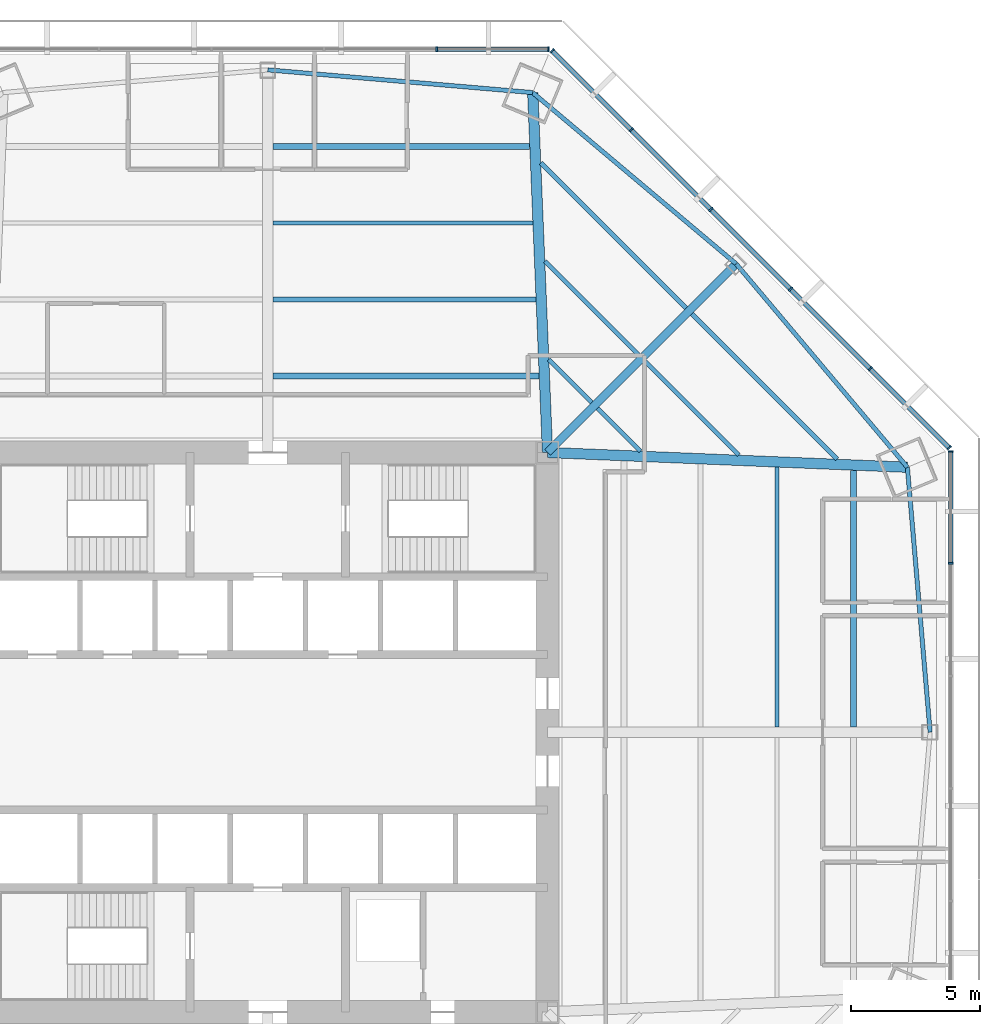
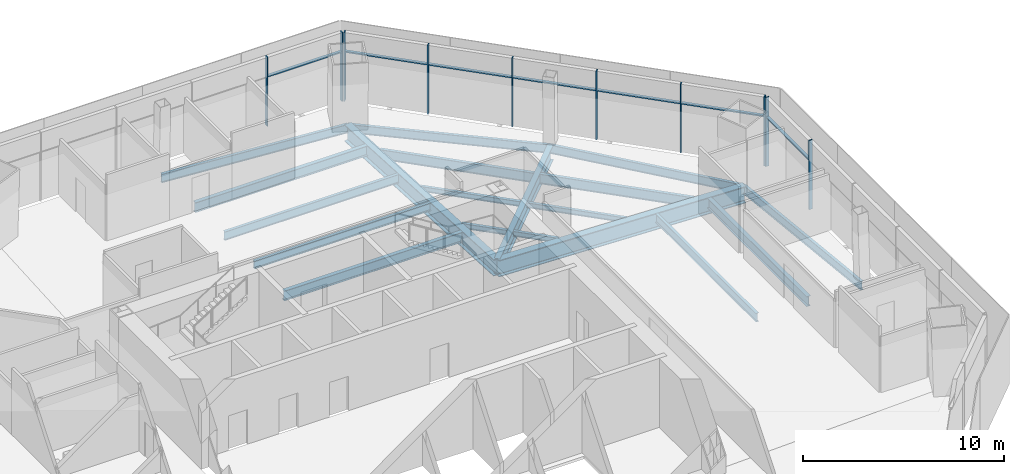
# One storey, part 7 of 15: 19 beams, 17 members, 3 elements without a shape of their own.
"""IFC4 building model written with IfcOpenShell, lengths in metres."""

from ifc_helpers import new_model, si_unit, direction, frame, origin, origin_2d, place, context, subcontext, project, spatial, rectangle, i_section, extrude, source, transform, mapped, material, material_profile, profile_set, type_object, type_shapes, element, aggregate, save


model = new_model("IFC4")

# Units and contexts
model_context = context("Model", 3, precision=1e-05, world=origin(), true_north=direction((0.0, 1.0)))
body_context = subcontext(model_context, "Body", "Model", "MODEL_VIEW")
ifc_project = project(units=[si_unit("LENGTHUNIT", "METRE"), si_unit("AREAUNIT", "SQUARE_METRE"), si_unit("VOLUMEUNIT", "CUBIC_METRE"), si_unit("PLANEANGLEUNIT", "RADIAN"), si_unit("MASSUNIT", "GRAM", prefix="KILO")], contexts=[model_context])

# Site, building, storey
site_placement = place(None, origin())
site = spatial("IfcSite", under=ifc_project, at=site_placement, CompositionType="ELEMENT")
building_placement = place(site_placement, origin())
building = spatial("IfcBuilding", under=site, at=building_placement, Name="Mashrafa Tower", CompositionType="ELEMENT")
storey_placement = place(building_placement, frame((0.0, 0.0, 58.199951171875)))
storey = spatial("IfcBuildingStorey", under=building, at=storey_placement, Name="L12", CompositionType="ELEMENT", Elevation=58.199951171875)

# Beams
ifc_material_1 = material(Name="Steel ASTM A992", Category="steel")
ifc_material_profile_1 = material_profile(ifc_material_1, i_section(OverallWidth=0.164794921875, OverallDepth=0.309814453125, WebThickness=0.005859375, FlangeThickness=0.009765625, FilletRadius=0.007568359375, at=origin_2d()), Name="W12X26")
ifc_profile_set_1 = profile_set([ifc_material_profile_1], Name="Steel ASTM A992")
beam_type_1 = type_object("IfcBeamType", Name="Beam W12X26", PredefinedType="BEAM", material=ifc_profile_set_1)
beam_1_placement = place(storey_placement, frame((10.697265625, 18.185546875, -0.31982421875), z_axis=(0.707106781187, -0.707106781187, 0.0), x_axis=(0.707106781187, 0.707106781187, 0.0)))
element("IfcBeam", 1, at=beam_1_placement, inside=storey, type_object=beam_type_1, Name="Floor beam L12 036", PredefinedType="BEAM", context=body_context, shape_type="SweptSolid", body=[
    extrude(i_section(OverallWidth=0.164794921875, OverallDepth=0.309814453125, WebThickness=0.005859375, FlangeThickness=0.009765625, FilletRadius=0.007568359375, at=origin_2d()), origin(), (0.0, 0.0, 1.0), 5.141357421875),
])
for number, where, z_axis, x_axis, name in (
    (2, (10.853271484375, 14.38818359375, -0.31982421875), (0.707106781187, -0.707106781187, 0.0), (0.707106781187, 0.707106781187, 0.0), "Floor beam L12 038"),
    (3, (12.7294921875, 12.511962890625, -0.31982421875), (0.707106781187, -0.707106781187, 0.0), (0.707106781187, 0.707106781187, 0.0), "Floor beam L12 041"),
):
    element("IfcBeam", number, at=place(storey_placement, frame(where, z_axis=z_axis, x_axis=x_axis)), inside=storey, type_object=beam_type_1, Name=name, PredefinedType="BEAM", context=body_context, shape_type="SweptSolid", body=[
        extrude(i_section(OverallWidth=0.164794921875, OverallDepth=0.309814453125, WebThickness=0.005859375, FlangeThickness=0.009765625, FilletRadius=0.007568359375, at=origin_2d()), origin(), (0.0, 0.0, 1.0), 2.345703125),
    ])
beam_2_placement = place(storey_placement, frame((14.550048828125, 14.332763671875, -0.31982421875), z_axis=(0.707106781187, -0.707106781187, 0.0), x_axis=(0.707106781187, 0.707106781187, 0.0)))
element("IfcBeam", 4, at=beam_2_placement, inside=storey, type_object=beam_type_1, Name="Floor beam L12 045", PredefinedType="BEAM", context=body_context, shape_type="SweptSolid", body=[
    extrude(i_section(OverallWidth=0.164794921875, OverallDepth=0.309814453125, WebThickness=0.005859375, FlangeThickness=0.009765625, FilletRadius=0.007568359375, at=origin_2d()), origin(), (0.0, 0.0, 1.0), 5.141357421875),
])
ifc_material_2 = material(Name="Steel ASTM A992", Category="steel")
ifc_material_profile_2 = material_profile(ifc_material_2, i_section(OverallWidth=0.191162109375, OverallDepth=0.459716796875, WebThickness=0.010009765625, FlangeThickness=0.01611328125, FilletRadius=0.01025390625, at=origin_2d()), Name="W18X55")
ifc_profile_set_2 = profile_set([ifc_material_profile_2], Name="Steel ASTM A992")
beam_type_2 = type_object("IfcBeamType", Name="Beam W18X55", PredefinedType="BEAM", material=ifc_profile_set_2)
beam_3_placement = place(storey_placement, frame((0.20458984375, 16.709228515625, -0.394775390625), z_axis=(1.0, 0.0, 0.0), x_axis=(0.0, 1.0, 0.0)))
element("IfcBeam", 5, at=beam_3_placement, inside=storey, type_object=beam_type_2, Name="Floor beam L12 030", PredefinedType="BEAM", context=body_context, shape_type="SweptSolid", body=[
    extrude(i_section(OverallWidth=0.191162109375, OverallDepth=0.459716796875, WebThickness=0.010009765625, FlangeThickness=0.01611328125, FilletRadius=0.01025390625, at=origin_2d()), origin(), (0.0, 0.0, 1.0), 10.151611328125),
])
ifc_material_3 = material(Name="Steel ASTM A992", Category="steel")
ifc_material_profile_3 = material_profile(ifc_material_3, i_section(OverallWidth=0.165771484375, OverallDepth=0.5283203125, WebThickness=0.009765625, FlangeThickness=0.013671875, FilletRadius=0.012939453125, at=origin_2d()), Name="W21X50")
ifc_profile_set_3 = profile_set([ifc_material_profile_3], Name="Steel ASTM A992")
beam_type_3 = type_object("IfcBeamType", Name="Beam W21X50", PredefinedType="BEAM", material=ifc_profile_set_3)
for number, where, z_axis, x_axis, name in (
    (6, (0.20458984375, 19.663818359375, -0.42919921875), (1.0, 0.0, 0.0), (0.0, 1.0, 0.0), "Floor beam L12 031"),
    (7, (19.663818359375, 10.23486328125, -0.42919921875), (0.0, -1.0, 0.0), (1.0, 0.0, 0.0), "Floor beam L12 053"),
):
    element("IfcBeam", number, at=place(storey_placement, frame(where, z_axis=z_axis, x_axis=x_axis)), inside=storey, type_object=beam_type_3, Name=name, PredefinedType="BEAM", context=body_context, shape_type="SweptSolid", body=[
        extrude(i_section(OverallWidth=0.165771484375, OverallDepth=0.5283203125, WebThickness=0.009765625, FlangeThickness=0.013671875, FilletRadius=0.012939453125, at=origin_2d()), origin(), (0.0, 0.0, 1.0), 10.0302734375),
    ])
for number, where, z_axis, x_axis, name in (
    (8, (10.22900390625, 24.69482421875, -0.42919921875), (-0.996335019601, 0.08553670976, 0.0), (-0.08553670976, -0.996335019601, 0.0), "Spandrel beam L12 083"),
    (9, (18.082763671875, 18.082763671875, -0.42919921875), (-0.764989509538, 0.644042739495, 0.0), (-0.644042739495, -0.764989509538, 0.0), "Spandrel beam L12 085"),
    (10, (24.69482421875, 10.22900390625, -0.42919921875), (-0.644042739495, 0.764989509538, 0.0), (-0.764989509538, -0.644042739495, 0.0), "Spandrel beam L12 087"),
    (11, (25.572998046875, 0.0, -0.42919921875), (-0.08553670976, 0.996335019601, 0.0), (-0.996335019601, -0.08553670976, 0.0), "Spandrel beam L12 088"),
):
    element("IfcBeam", number, at=place(storey_placement, frame(where, z_axis=z_axis, x_axis=x_axis)), inside=storey, type_object=beam_type_3, Name=name, PredefinedType="BEAM", context=body_context, shape_type="SweptSolid", body=[
        extrude(i_section(OverallWidth=0.165771484375, OverallDepth=0.5283203125, WebThickness=0.009765625, FlangeThickness=0.013671875, FilletRadius=0.012939453125, at=origin_2d()), origin(), (0.0, 0.0, 1.0), 10.2666015625),
    ])
ifc_material_4 = material(Name="Steel ASTM A992", Category="steel")
ifc_material_profile_4 = material_profile(ifc_material_4, i_section(OverallWidth=0.177978515625, OverallDepth=0.599365234375, WebThickness=0.010009765625, FlangeThickness=0.012939453125, FilletRadius=0.012939453125, at=origin_2d()), Name="W24X55")
ifc_profile_set_4 = profile_set([ifc_material_profile_4], Name="Steel ASTM A992")
beam_type_4 = type_object("IfcBeamType", Name="Beam W24X55", PredefinedType="BEAM", material=ifc_profile_set_4)
for number, where, z_axis, x_axis, name in (
    (12, (10.541259765625, 21.98291015625, -0.464599609375), (0.707106781187, -0.707106781187, 0.0), (0.707106781187, 0.707106781187, 0.0), "Floor beam L12 034"),
    (13, (16.370849609375, 16.1533203125, -0.464599609375), (0.707106781187, -0.707106781187, 0.0), (0.707106781187, 0.707106781187, 0.0), "Floor beam L12 048"),
):
    element("IfcBeam", number, at=place(storey_placement, frame(where, z_axis=z_axis, x_axis=x_axis)), inside=storey, type_object=beam_type_4, Name=name, PredefinedType="BEAM", context=body_context, shape_type="SweptSolid", body=[
        extrude(i_section(OverallWidth=0.177978515625, OverallDepth=0.599365234375, WebThickness=0.010009765625, FlangeThickness=0.012939453125, FilletRadius=0.012939453125, at=origin_2d()), origin(), (0.0, 0.0, 1.0), 7.936767578125),
    ])
ifc_material_5 = material(Name="Steel ASTM A992", Category="steel")
ifc_material_profile_5 = material_profile(ifc_material_5, i_section(OverallWidth=0.227783203125, OverallDepth=0.60205078125, WebThickness=0.010498046875, FlangeThickness=0.014892578125, FilletRadius=0.012939453125, at=origin_2d()), Name="W24X68")
ifc_profile_set_5 = profile_set([ifc_material_profile_5], Name="Steel ASTM A992")
beam_type_5 = type_object("IfcBeamType", Name="Beam W24X68", PredefinedType="BEAM", material=ifc_profile_set_5)
beam_4_placement = place(storey_placement, frame((0.20458984375, 13.754638671875, -0.4658203125), z_axis=(1.0, 0.0, 0.0), x_axis=(0.0, 1.0, 0.0)))
element("IfcBeam", 14, at=beam_4_placement, inside=storey, type_object=beam_type_5, Name="Floor beam L12 029", PredefinedType="BEAM", context=body_context, shape_type="SweptSolid", body=[
    extrude(i_section(OverallWidth=0.227783203125, OverallDepth=0.60205078125, WebThickness=0.010498046875, FlangeThickness=0.014892578125, FilletRadius=0.012939453125, at=origin_2d()), origin(), (0.0, 0.0, 1.0), 10.273193359375),
])
ifc_material_6 = material(Name="Steel ASTM A992", Category="steel")
ifc_material_profile_6 = material_profile(ifc_material_6, i_section(OverallWidth=0.228271484375, OverallDepth=0.607177734375, WebThickness=0.01123046875, FlangeThickness=0.017333984375, FilletRadius=0.0126953125, at=origin_2d()), Name="W24X76")
ifc_profile_set_6 = profile_set([ifc_material_profile_6], Name="Steel ASTM A992")
beam_type_6 = type_object("IfcBeamType", Name="Beam W24X76", PredefinedType="BEAM", material=ifc_profile_set_6)
for number, where, z_axis, x_axis, name in (
    (15, (0.20458984375, 22.618408203125, -0.468505859375), (1.0, 0.0, 0.0), (0.0, 1.0, 0.0), "Floor beam L12 032"),
    (16, (22.618408203125, 10.11328125, -0.468505859375), (0.0, -1.0, 0.0), (1.0, 0.0, 0.0), "Floor beam L12 056"),
):
    element("IfcBeam", number, at=place(storey_placement, frame(where, z_axis=z_axis, x_axis=x_axis)), inside=storey, type_object=beam_type_6, Name=name, PredefinedType="BEAM", context=body_context, shape_type="SweptSolid", body=[
        extrude(i_section(OverallWidth=0.228271484375, OverallDepth=0.607177734375, WebThickness=0.01123046875, FlangeThickness=0.017333984375, FilletRadius=0.0126953125, at=origin_2d()), origin(), (0.0, 0.0, 1.0), 9.90869140625),
    ])
ifc_material_7 = material(Name="Steel ASTM A992", Category="steel")
ifc_material_profile_7 = material_profile(ifc_material_7, i_section(OverallWidth=0.307373046875, OverallDepth=0.927001953125, WebThickness=0.01953125, FlangeThickness=0.031982421875, FilletRadius=0.01904296875, at=origin_2d()), Name="W36X194")
ifc_profile_set_7 = profile_set([ifc_material_profile_7], Name="Steel ASTM A992")
beam_type_7 = type_object("IfcBeamType", Name="Beam W36X194", PredefinedType="BEAM", material=ifc_profile_set_7)
beam_5_placement = place(storey_placement, frame((10.800048828125, 10.800048828125, -0.62841796875), z_axis=(0.707106781187, 0.707106781187, 0.0), x_axis=(-0.707106781187, 0.707106781187, 0.0)))
element("IfcBeam", 17, at=beam_5_placement, inside=storey, type_object=beam_type_7, Name="Radial girder L12 071", PredefinedType="BEAM", context=body_context, shape_type="SweptSolid", body=[
    extrude(i_section(OverallWidth=0.307373046875, OverallDepth=0.927001953125, WebThickness=0.01953125, FlangeThickness=0.031982421875, FilletRadius=0.01904296875, at=origin_2d()), origin(), (0.0, 0.0, 1.0), 10.29931640625),
])
ifc_material_8 = material(Name="Steel ASTM A992", Category="steel")
ifc_material_profile_8 = material_profile(ifc_material_8, i_section(OverallWidth=0.4013671875, OverallDepth=1.010986328125, WebThickness=0.023681640625, FlangeThickness=0.0419921875, FilletRadius=0.02001953125, at=origin_2d()), Name="W40X297")
ifc_profile_set_8 = profile_set([ifc_material_profile_8], Name="Steel ASTM A992")
beam_type_8 = type_object("IfcBeamType", Name="Beam W40X297", PredefinedType="BEAM", material=ifc_profile_set_8)
for number, where, z_axis, x_axis, name in (
    (18, (10.800048828125, 10.800048828125, -0.67041015625), (-0.041063152138, 0.999156553067, 0.0), (-0.999156553067, -0.041063152138, 0.0), "Radial girder L12 070"),
    (19, (10.800048828125, 10.800048828125, -0.67041015625), (0.999156553067, -0.041063152138, 0.0), (0.041063152138, 0.999156553067, 0.0), "Radial girder L12 072"),
):
    element("IfcBeam", number, at=place(storey_placement, frame(where, z_axis=z_axis, x_axis=x_axis)), inside=storey, type_object=beam_type_8, Name=name, PredefinedType="BEAM", context=body_context, shape_type="SweptSolid", body=[
        extrude(i_section(OverallWidth=0.4013671875, OverallDepth=1.010986328125, WebThickness=0.023681640625, FlangeThickness=0.0419921875, FilletRadius=0.02001953125, at=origin_2d()), origin(), (0.0, 0.0, 1.0), 13.906494140625),
    ])

# Curtain wall, members
ifc_material_9 = material(Name="Unitised aluminium curtain wall", Category="aluminium")
curtain_wall_type = type_object("IfcCurtainWallType", Name="Office curtain wall, zone 1 CW-A 200 deep", PredefinedType="NOTDEFINED", material=ifc_material_9)
curtain_wall_1_placement = place(storey_placement, origin())
curtain_wall_1 = element("IfcCurtainWall", 20, at=curtain_wall_1_placement, inside=storey, type_object=curtain_wall_type, Name="Office curtain wall, zone 1 L12 east", PredefinedType="NOTDEFINED")
ifc_material_10 = material(Name="Extruded aluminium mullion", Category="aluminium")
ifc_material_profile_9 = material_profile(ifc_material_10, rectangle(XDim=0.199951171875, YDim=0.06494140625, at=origin_2d()), Name="Mullion 65x200")
ifc_profile_set_9 = profile_set([ifc_material_profile_9], Name="Extruded aluminium mullion")
member_type_1 = type_object("IfcMemberType", Name="Mullion CW-A 65 x 200", PredefinedType="MULLION", material=ifc_profile_set_9)
shared_shape_1 = source(origin(), body_context, "Body", "SweptSolid", [
    extrude(rectangle(XDim=0.199951171875, YDim=0.06494140625, at=origin_2d()), origin(), (0.0, 0.0, 1.0), 4.199951171875),
])
type_shapes(member_type_1, [shared_shape_1])
member_1_placement = place(storey_placement, frame((26.368408203125, 6.5224609375, 0.0), z_axis=(0.0, 0.0, 1.0), x_axis=(-1.0, 0.0, 0.0)))
member_1 = element("IfcMember", 21, at=member_1_placement, type_object=member_type_1, Name="CW-A mullion 5", PredefinedType="MULLION", context=body_context, shape_type="MappedRepresentation", body=[
    mapped(shared_shape_1, transform((0.0, 0.0, 0.0))),
])
member_2_placement = place(storey_placement, frame((26.368408203125, 10.838134765625, 0.0), z_axis=(0.0, 0.0, 1.0), x_axis=(-1.0, 0.0, 0.0)))
member_2 = element("IfcMember", 22, at=member_2_placement, type_object=member_type_1, Name="CW-A mullion 6", PredefinedType="MULLION", context=body_context, shape_type="MappedRepresentation", body=[
    mapped(shared_shape_1, transform((0.0, 0.0, 0.0))),
])

curtain_wall_2_placement = place(storey_placement, origin())
curtain_wall_2 = element("IfcCurtainWall", 23, at=curtain_wall_2_placement, inside=storey, type_object=curtain_wall_type, Name="Office curtain wall, zone 1 L12 north-east", PredefinedType="NOTDEFINED")
member_3_placement = place(storey_placement, frame((26.30908203125, 10.9814453125, 0.0), z_axis=(0.0, 0.0, 1.0), x_axis=(-0.707106781187, -0.707106781187, 0.0)))
member_3 = element("IfcMember", 24, at=member_3_placement, type_object=member_type_1, Name="CW-A mullion 1", PredefinedType="MULLION", context=body_context, shape_type="MappedRepresentation", body=[
    mapped(shared_shape_1, transform((0.0, 0.0, 0.0))),
])
member_4_placement = place(storey_placement, frame((23.25732421875, 14.033203125, 0.0), z_axis=(0.0, 0.0, 1.0), x_axis=(-0.707106781187, -0.707106781187, 0.0)))
member_4 = element("IfcMember", 25, at=member_4_placement, type_object=member_type_1, Name="CW-A mullion 2", PredefinedType="MULLION", context=body_context, shape_type="MappedRepresentation", body=[
    mapped(shared_shape_1, transform((0.0, 0.0, 0.0))),
])
member_5_placement = place(storey_placement, frame((20.1826171875, 17.10791015625, 0.0), z_axis=(0.0, 0.0, 1.0), x_axis=(-0.707106781187, -0.707106781187, 0.0)))
member_5 = element("IfcMember", 26, at=member_5_placement, type_object=member_type_1, Name="CW-A mullion 3", PredefinedType="MULLION", context=body_context, shape_type="MappedRepresentation", body=[
    mapped(shared_shape_1, transform((0.0, 0.0, 0.0))),
])
member_6_placement = place(storey_placement, frame((17.10791015625, 20.1826171875, 0.0), z_axis=(0.0, 0.0, 1.0), x_axis=(-0.707106781187, -0.707106781187, 0.0)))
member_6 = element("IfcMember", 27, at=member_6_placement, type_object=member_type_1, Name="CW-A mullion 4", PredefinedType="MULLION", context=body_context, shape_type="MappedRepresentation", body=[
    mapped(shared_shape_1, transform((0.0, 0.0, 0.0))),
])
member_7_placement = place(storey_placement, frame((14.033203125, 23.25732421875, 0.0), z_axis=(0.0, 0.0, 1.0), x_axis=(-0.707106781187, -0.707106781187, 0.0)))
member_7 = element("IfcMember", 28, at=member_7_placement, type_object=member_type_1, Name="CW-A mullion 5", PredefinedType="MULLION", context=body_context, shape_type="MappedRepresentation", body=[
    mapped(shared_shape_1, transform((0.0, 0.0, 0.0))),
])
member_8_placement = place(storey_placement, frame((10.9814453125, 26.30908203125, 0.0), z_axis=(0.0, 0.0, 1.0), x_axis=(-0.707106781187, -0.707106781187, 0.0)))
member_8 = element("IfcMember", 29, at=member_8_placement, type_object=member_type_1, Name="CW-A mullion 6", PredefinedType="MULLION", context=body_context, shape_type="MappedRepresentation", body=[
    mapped(shared_shape_1, transform((0.0, 0.0, 0.0))),
])

curtain_wall_3_placement = place(storey_placement, origin())
curtain_wall_3 = element("IfcCurtainWall", 30, at=curtain_wall_3_placement, inside=storey, type_object=curtain_wall_type, Name="Office curtain wall, zone 1 L12 north", PredefinedType="NOTDEFINED")
member_9_placement = place(storey_placement, frame((10.838134765625, 26.368408203125, 0.0), z_axis=(0.0, 0.0, 1.0), x_axis=(0.0, -1.0, 0.0)))
member_9 = element("IfcMember", 31, at=member_9_placement, type_object=member_type_1, Name="CW-A mullion 1", PredefinedType="MULLION", context=body_context, shape_type="MappedRepresentation", body=[
    mapped(shared_shape_1, transform((0.0, 0.0, 0.0))),
])
member_10_placement = place(storey_placement, frame((6.5224609375, 26.368408203125, 0.0), z_axis=(0.0, 0.0, 1.0), x_axis=(0.0, -1.0, 0.0)))
member_10 = element("IfcMember", 32, at=member_10_placement, type_object=member_type_1, Name="CW-A mullion 2", PredefinedType="MULLION", context=body_context, shape_type="MappedRepresentation", body=[
    mapped(shared_shape_1, transform((0.0, 0.0, 0.0))),
])

# Member
ifc_material_11 = material(Name="Extruded aluminium transom", Category="aluminium")
ifc_material_profile_10 = material_profile(ifc_material_11, rectangle(XDim=0.159912109375, YDim=0.080078125, at=origin_2d()), Name="Transom 80x160")
ifc_profile_set_10 = profile_set([ifc_material_profile_10], Name="Extruded aluminium transom")
member_type_2 = type_object("IfcMemberType", Name="Transom CW-A 80 x 160", PredefinedType="MULLION", material=ifc_profile_set_10)
shared_shape_2 = source(origin(), body_context, "Body", "SweptSolid", [
    extrude(rectangle(XDim=0.159912109375, YDim=0.080078125, at=origin_2d()), origin(), (0.0, 0.0, 1.0), 4.250732421875),
])
member_11_placement = place(storey_placement, frame((26.368408203125, 6.554931640625, 3.0), z_axis=(0.0, 1.0, 0.0), x_axis=(-1.0, 0.0, 0.0)))
member_11 = element("IfcMember", 33, at=member_11_placement, type_object=member_type_2, Name="CW-A transom 5", PredefinedType="MULLION", context=body_context, shape_type="MappedRepresentation", body=[
    mapped(shared_shape_2, transform((0.0, 0.0, 0.0))),
])

aggregate(curtain_wall_1, [member_1, member_2, member_11])

member_12_placement = place(storey_placement, frame((26.285888671875, 11.00439453125, 3.0), z_axis=(-0.707078063275, 0.707135497932, 0.0), x_axis=(-0.707135497932, -0.707078063275, 0.0)))
member_12 = element("IfcMember", 34, at=member_12_placement, type_object=member_type_2, Name="CW-A transom 1", PredefinedType="MULLION", context=body_context, shape_type="MappedRepresentation", body=[
    mapped(shared_shape_2, transform((0.0, 0.0, 0.0))),
])

member_13_placement = place(storey_placement, frame((14.01025390625, 23.2802734375, 3.0), z_axis=(-0.707135497932, 0.707078063275, 0.0), x_axis=(-0.707078063275, -0.707135497932, 0.0)))
member_13 = element("IfcMember", 35, at=member_13_placement, type_object=member_type_2, Name="CW-A transom 5", PredefinedType="MULLION", context=body_context, shape_type="MappedRepresentation", body=[
    mapped(shared_shape_2, transform((0.0, 0.0, 0.0))),
])

member_14_placement = place(storey_placement, frame((10.8056640625, 26.368408203125, 3.0), z_axis=(-1.0, 0.0, 0.0), x_axis=(0.0, -1.0, 0.0)))
member_14 = element("IfcMember", 36, at=member_14_placement, type_object=member_type_2, Name="CW-A transom 1", PredefinedType="MULLION", context=body_context, shape_type="MappedRepresentation", body=[
    mapped(shared_shape_2, transform((0.0, 0.0, 0.0))),
])

aggregate(curtain_wall_3, [member_9, member_10, member_14])

shared_shape_3 = source(origin(), body_context, "Body", "SweptSolid", [
    extrude(rectangle(XDim=0.159912109375, YDim=0.080078125, at=origin_2d()), origin(), (0.0, 0.0, 1.0), 4.283447265625),
])
type_shapes(member_type_2, [shared_shape_2, shared_shape_3])
member_15_placement = place(storey_placement, frame((23.234375, 14.05615234375, 3.0), z_axis=(-0.707106781187, 0.707106781187, 0.0), x_axis=(-0.707106781187, -0.707106781187, 0.0)))
member_15 = element("IfcMember", 37, at=member_15_placement, type_object=member_type_2, Name="CW-A transom 2", PredefinedType="MULLION", context=body_context, shape_type="MappedRepresentation", body=[
    mapped(shared_shape_3, transform((0.0, 0.0, 0.0))),
])

member_16_placement = place(storey_placement, frame((20.15966796875, 17.130859375, 3.0), z_axis=(-0.707106781187, 0.707106781187, 0.0), x_axis=(-0.707106781187, -0.707106781187, 0.0)))
member_16 = element("IfcMember", 38, at=member_16_placement, type_object=member_type_2, Name="CW-A transom 3", PredefinedType="MULLION", context=body_context, shape_type="MappedRepresentation", body=[
    mapped(shared_shape_3, transform((0.0, 0.0, 0.0))),
])

member_17_placement = place(storey_placement, frame((17.0849609375, 20.20556640625, 3.0), z_axis=(-0.707106781187, 0.707106781187, 0.0), x_axis=(-0.707106781187, -0.707106781187, 0.0)))
member_17 = element("IfcMember", 39, at=member_17_placement, type_object=member_type_2, Name="CW-A transom 4", PredefinedType="MULLION", context=body_context, shape_type="MappedRepresentation", body=[
    mapped(shared_shape_3, transform((0.0, 0.0, 0.0))),
])

aggregate(curtain_wall_2, [member_3, member_4, member_5, member_6, member_7, member_8, member_12, member_15, member_16, member_17, member_13])

save(model, "model.ifc")
